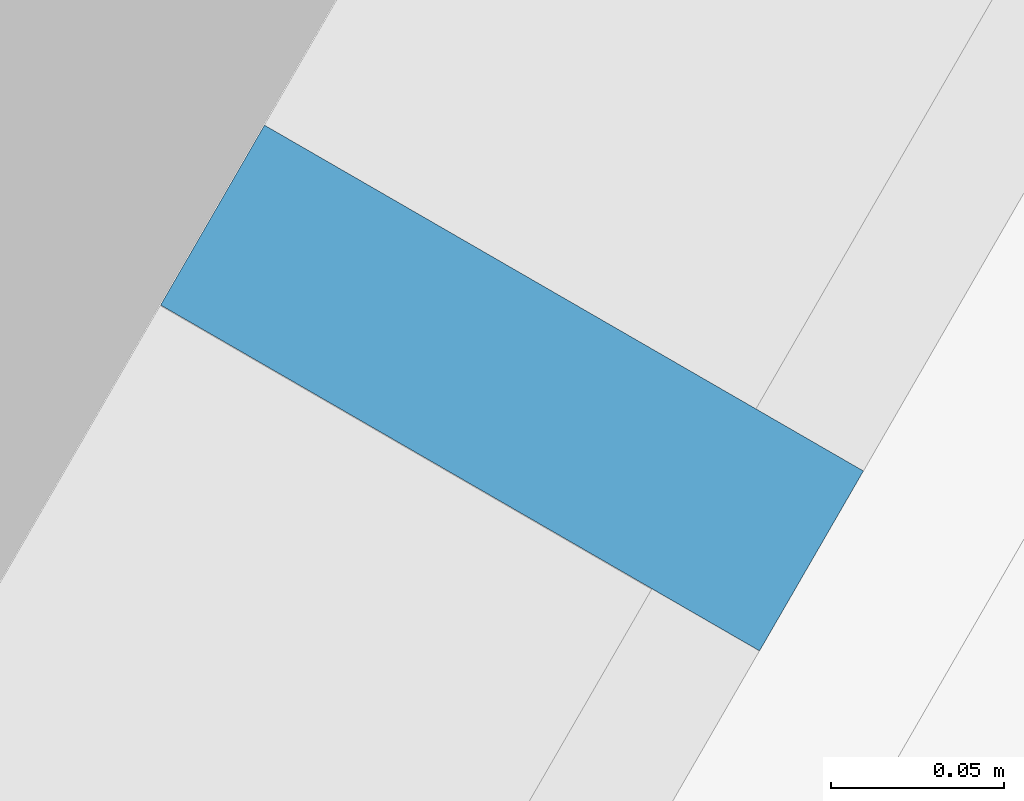
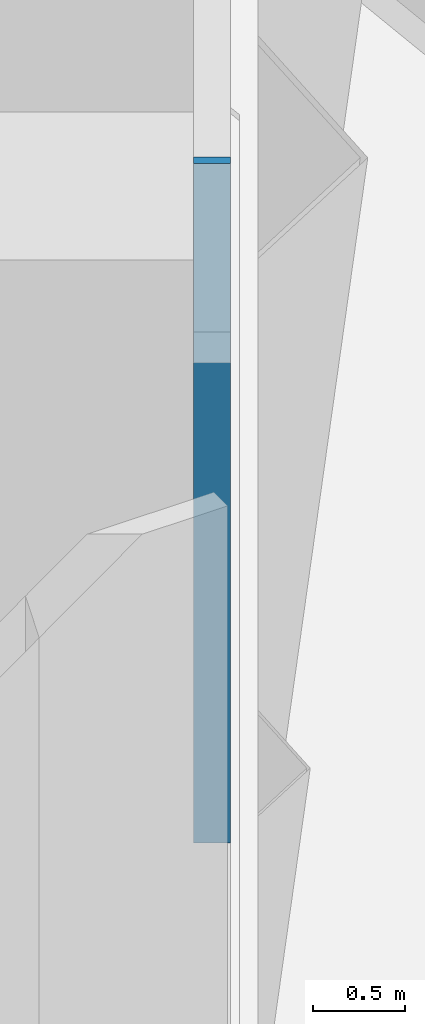
# One storey, part 6 of 27: 1 member, 1 element without a shape of its own.
"""IFC4 building model written with IfcOpenShell, lengths in metres."""

from ifc_helpers import new_model, si_unit, direction, frame, origin, origin_2d, place, context, subcontext, project, spatial, rectangle, extrude, material, layer, layer_set, material_profile, profile_set, type_object, element, aggregate, save


model = new_model("IFC4")

# Units and contexts
model_context = context("Model", 3, precision=1e-05, world=origin(), true_north=direction((0.0, 1.0)))
body_context = subcontext(model_context, "Body", "Model", "MODEL_VIEW")
ifc_project = project(units=[si_unit("LENGTHUNIT", "METRE"), si_unit("AREAUNIT", "SQUARE_METRE"), si_unit("VOLUMEUNIT", "CUBIC_METRE"), si_unit("PLANEANGLEUNIT", "RADIAN"), si_unit("MASSUNIT", "GRAM", prefix="KILO")], contexts=[model_context])

# Site, building, storey
site_placement = place(None, origin())
site = spatial("IfcSite", under=ifc_project, at=site_placement, CompositionType="ELEMENT")
building_placement = place(site_placement, origin())
building = spatial("IfcBuilding", under=site, at=building_placement, Name="Isthmus Gate Tower", CompositionType="ELEMENT")
storey_placement = place(building_placement, frame((0.0, 0.0, 121.64990234375)))
storey = spatial("IfcBuildingStorey", under=building, at=storey_placement, Name="L29", CompositionType="ELEMENT", Elevation=121.64990234375)

# Curtain wall, member
ifc_material_1 = material(Name="Aluminium, pale champagne anodised", Category="aluminium")
ifc_layer = layer(ifc_material_1, 0.199951171875)
ifc_layer_set = layer_set([ifc_layer], Name="CW-1 UNITISED CURTAIN WALL 200 DEEP")
curtain_wall_type = type_object("IfcCurtainWallType", Name="CW-1 UNITISED CURTAIN WALL 200 DEEP", PredefinedType="NOTDEFINED", material=ifc_layer_set)
curtain_wall_placement = place(storey_placement, origin())
curtain_wall = element("IfcCurtainWall", 1, at=curtain_wall_placement, inside=storey, type_object=curtain_wall_type, Name="CW-1 SE L29", PredefinedType="NOTDEFINED")
ifc_material_2 = material(Name="Aluminium, pale champagne anodised", Category="aluminium")
ifc_material_profile = material_profile(ifc_material_2, rectangle(XDim=0.06005859375, YDim=0.199951171875, at=origin_2d()), Name="60x200")
ifc_profile_set = profile_set([ifc_material_profile], Name="Aluminium, pale champagne anodised")
member_type = type_object("IfcMemberType", Name="CW-1 MULLION 60 X 200", PredefinedType="MULLION", material=ifc_profile_set)
member_placement = place(storey_placement, frame((29.956298828125, -4.314208984375, 0.0), z_axis=(0.0, 0.0, 1.0), x_axis=(0.5, 0.866025403784, 0.0)))
member = element("IfcMember", 2, at=member_placement, type_object=member_type, Name="CW-1 mullion", PredefinedType="MULLION", context=body_context, shape_type="SweptSolid", body=[
    extrude(rectangle(XDim=0.06005859375, YDim=0.199951171875, at=origin_2d()), origin(), (0.0, 0.0, 1.0), 4.5),
])
aggregate(curtain_wall, [member])

save(model, "model.ifc")
